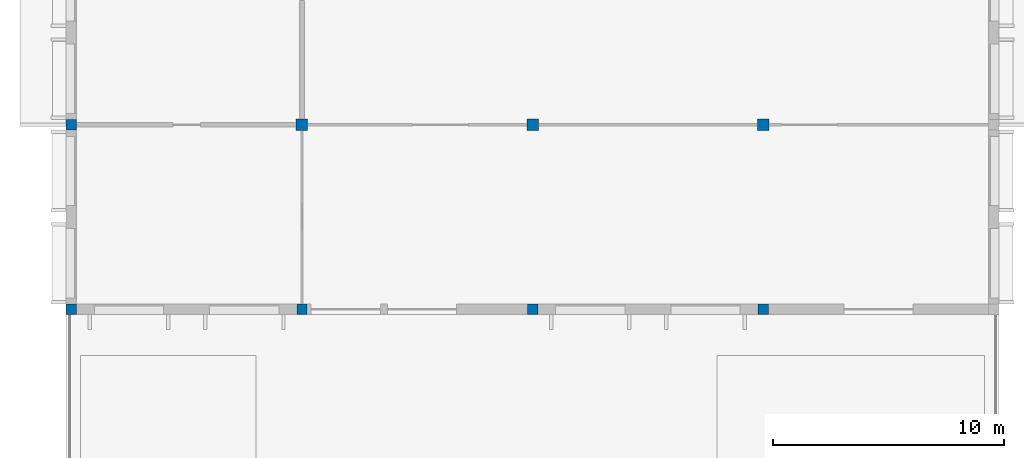
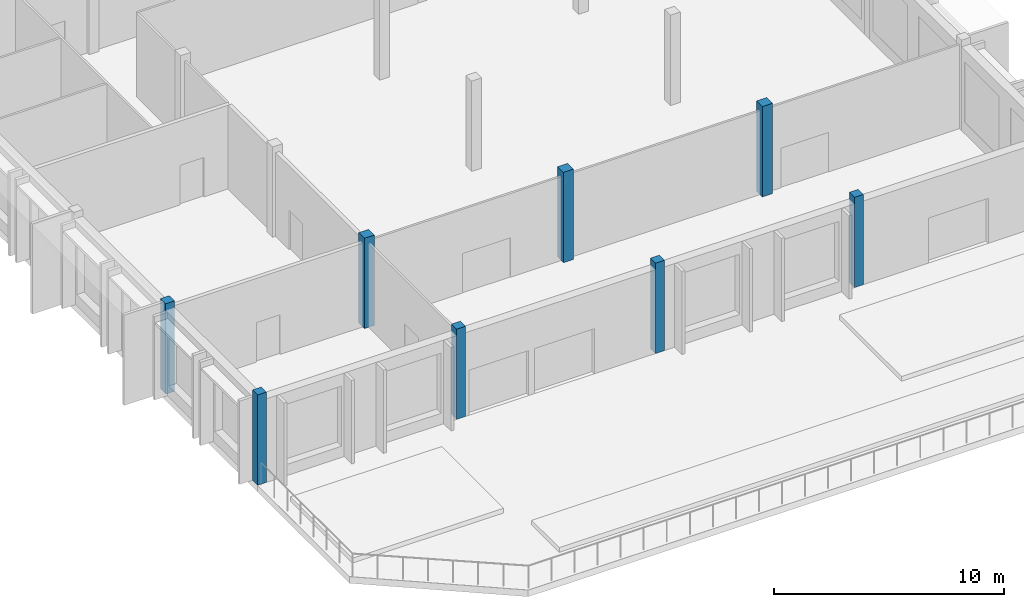
# One storey, part 1 of 196: 8 columns.
"""IFC4 building model written with IfcOpenShell, lengths in metres."""

from ifc_helpers import new_model, si_unit, direction, frame, origin, origin_2d, place, context, subcontext, project, spatial, rectangle, extrude, material, material_profile, profile_set, type_object, element, save


model = new_model("IFC4")

# Units and contexts
model_context = context("Model", 3, precision=1e-05, world=origin(), true_north=direction((0.0, 1.0)))
body_context = subcontext(model_context, "Body", "Model", "MODEL_VIEW")
ifc_project = project(units=[si_unit("LENGTHUNIT", "METRE"), si_unit("AREAUNIT", "SQUARE_METRE"), si_unit("VOLUMEUNIT", "CUBIC_METRE"), si_unit("PLANEANGLEUNIT", "RADIAN"), si_unit("MASSUNIT", "GRAM", prefix="KILO")], contexts=[model_context])

# Site, building, storey
site_placement = place(None, origin())
site = spatial("IfcSite", under=ifc_project, at=site_placement, CompositionType="ELEMENT")
building_placement = place(site_placement, origin())
building = spatial("IfcBuilding", under=site, at=building_placement, Name="Okhra Congress Centre", CompositionType="ELEMENT")
storey_placement = place(building_placement, frame((0.0, 0.0, 12.0)))
storey = spatial("IfcBuildingStorey", under=building, at=storey_placement, Name="L02", CompositionType="ELEMENT", Elevation=12.0)

# Columns
ifc_material = material(Name="Concrete C35/45", Category="concrete")
ifc_material_profile_1 = material_profile(ifc_material, rectangle(XDim=0.449951171875, YDim=0.449951171875, at=origin_2d()), Name="RC 450x450")
ifc_profile_set_1 = profile_set([ifc_material_profile_1], Name="Concrete C35/45")
column_type_1 = type_object("IfcColumnType", Name="RC column 450x450 C35/45", PredefinedType="COLUMN", material=ifc_profile_set_1)
for number, where, z_axis, x_axis, name in (
    (1, (6.0, 44.0, 0.0), (0.0, 0.0, 1.0), (1.0, 0.0, 0.0), "RS.COL.L02.1"),
    (2, (6.0, 52.0, 0.0), (0.0, 0.0, 1.0), (1.0, 0.0, 0.0), "RS.COL.L02.2"),
    (3, (16.0, 44.0, 0.0), (0.0, 0.0, 1.0), (1.0, 0.0, 0.0), "RS.COL.L02.7"),
    (4, (26.0, 44.0, 0.0), (0.0, 0.0, 1.0), (1.0, 0.0, 0.0), "RS.COL.L02.13"),
    (5, (36.0, 44.0, 0.0), (0.0, 0.0, 1.0), (1.0, 0.0, 0.0), "RS.COL.L02.19"),
):
    element("IfcColumn", number, at=place(storey_placement, frame(where, z_axis=z_axis, x_axis=x_axis)), inside=storey, type_object=column_type_1, Name=name, PredefinedType="COLUMN", context=body_context, shape_type="SweptSolid", body=[
        extrude(rectangle(XDim=0.449951171875, YDim=0.449951171875, at=origin_2d()), origin(), (0.0, 0.0, 1.0), 4.800048828125),
    ])
ifc_material_profile_2 = material_profile(ifc_material, rectangle(XDim=0.5, YDim=0.5, at=origin_2d()), Name="RC 500x500")
ifc_profile_set_2 = profile_set([ifc_material_profile_2], Name="Concrete C35/45")
column_type_2 = type_object("IfcColumnType", Name="RC column 500x500 C35/45", PredefinedType="COLUMN", material=ifc_profile_set_2)
for number, where, z_axis, x_axis, name in (
    (6, (16.0, 52.0, 0.0), (0.0, 0.0, 1.0), (1.0, 0.0, 0.0), "RS.COL.L02.8"),
    (7, (26.0, 52.0, 0.0), (0.0, 0.0, 1.0), (1.0, 0.0, 0.0), "RS.COL.L02.14"),
    (8, (36.0, 52.0, 0.0), (0.0, 0.0, 1.0), (1.0, 0.0, 0.0), "RS.COL.L02.20"),
):
    element("IfcColumn", number, at=place(storey_placement, frame(where, z_axis=z_axis, x_axis=x_axis)), inside=storey, type_object=column_type_2, Name=name, PredefinedType="COLUMN", context=body_context, shape_type="SweptSolid", body=[
        extrude(rectangle(XDim=0.5, YDim=0.5, at=origin_2d()), origin(), (0.0, 0.0, 1.0), 4.800048828125),
    ])

save(model, "model.ifc")
